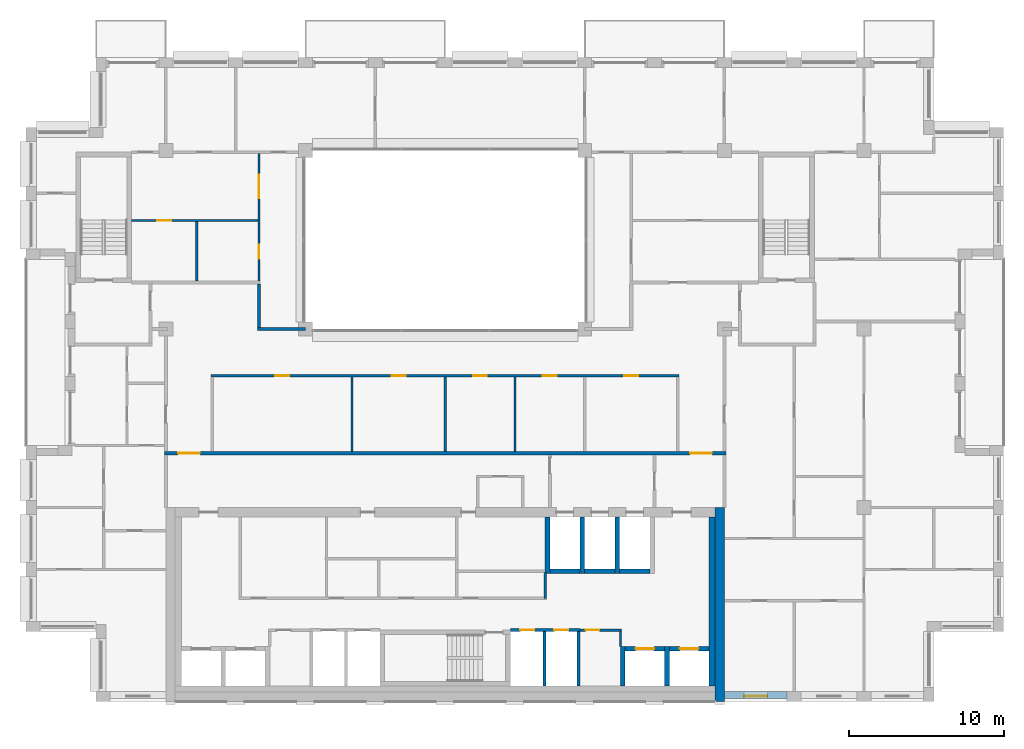
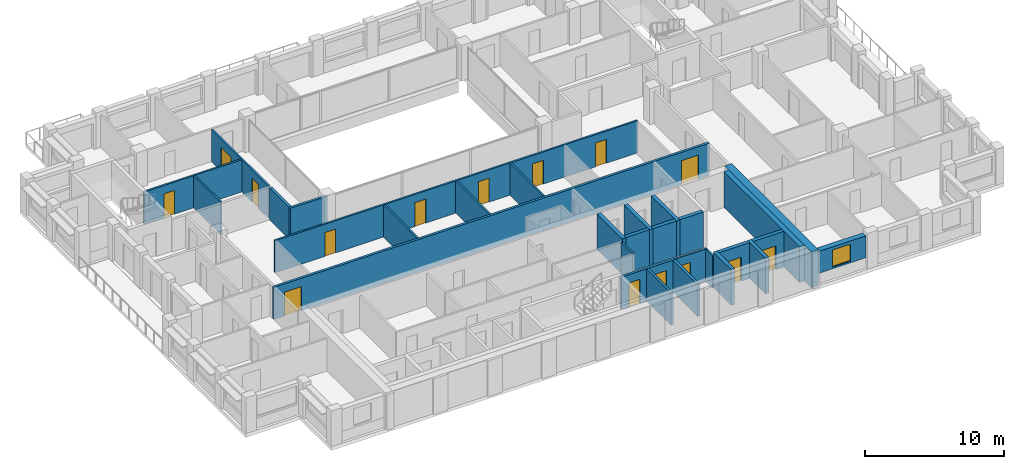
# One storey, part 10 of 15: 29 walls, 15 doors, 1 window, 16 openings.
"""IFC4 building model written with IfcOpenShell, lengths in metres."""

from ifc_helpers import new_model, si_unit, direction, frame, frame_2d, origin, place, context, subcontext, project, spatial, rectangle, extrude, material, layer, layer_set, type_object, element, fill, save


model = new_model("IFC4")

# Units and contexts
model_context = context("Model", 3, precision=1e-05, world=origin(), true_north=direction((0.0, 1.0)))
body_context = subcontext(model_context, "Body", "Model", "MODEL_VIEW")
ifc_project = project(units=[si_unit("LENGTHUNIT", "METRE"), si_unit("AREAUNIT", "SQUARE_METRE"), si_unit("VOLUMEUNIT", "CUBIC_METRE"), si_unit("PLANEANGLEUNIT", "RADIAN"), si_unit("MASSUNIT", "GRAM", prefix="KILO")], contexts=[model_context])

# Site, building, storey
site_placement = place(None, origin())
site = spatial("IfcSite", under=ifc_project, at=site_placement, CompositionType="ELEMENT")
building_placement = place(site_placement, origin())
building = spatial("IfcBuilding", under=site, at=building_placement, Name="Brigalow Station Residences", CompositionType="ELEMENT")
storey_placement = place(building_placement, frame((0.0, 0.0, 226.35009765625)))
storey = spatial("IfcBuildingStorey", under=building, at=storey_placement, Name="L65", CompositionType="ELEMENT", Elevation=226.35009765625)

# Wall, opening, window
ifc_material_1 = material(Name="Clay brick masonry", Category="masonry")
ifc_layer_1 = layer(ifc_material_1, 0.449951171875)
ifc_layer_set_1 = layer_set([ifc_layer_1], Name="BRICK INFILL WALL 450")
wall_type_1 = type_object("IfcWallType", Name="BRICK INFILL WALL 450", PredefinedType="SOLIDWALL", material=ifc_layer_set_1)
wall_1_placement = place(storey_placement, frame((54.0, 0.425048828125, 0.89990234375), z_axis=(0.0, 0.0, 1.0), x_axis=(1.0, 0.0, 0.0)))
wall_1 = element("IfcWall", 1, at=wall_1_placement, inside=storey, type_object=wall_type_1, Name="L65/ewall/W-L65-3", PredefinedType="SOLIDWALL", context=body_context, shape_type="SweptSolid", body=[
    extrude(rectangle(XDim=4.050048828125, YDim=0.449951171875, at=frame_2d((2.02490234375, 0.0))), origin(), (0.0, 0.0, 1.0), 1.929931640625),
])
opening_1_placement = place(wall_1_placement, frame((1.27490234375, 0.0, 0.14990234375)))
opening_1 = element("IfcOpeningElement", 2, at=opening_1_placement, cuts=wall_1, Name="Opening WT-1", PredefinedType="OPENING", context=body_context, shape_type="SweptSolid", body=[
    extrude(rectangle(XDim=1.5, YDim=1.5, at=frame_2d((0.75, 0.75))), frame((0.0, 0.23486328125, 0.0), z_axis=(0.0, -1.0, 0.0), x_axis=(1.0, 0.0, 0.0)), (0.0, 0.0, 1.0), 0.469970703125),
])
ifc_material_2 = material(Name="Anodised aluminium frame with double glazing", Category="aluminium")
window_type = type_object("IfcWindowType", Name="WINDOW 1500x1500", PartitioningType="SINGLE_PANEL", PredefinedType="WINDOW", material=ifc_material_2)
window_placement = place(opening_1_placement, origin())
window = element("IfcWindow", 3, at=window_placement, inside=storey, type_object=window_type, Name="L65/window/W-L65-3", OverallHeight=1.5, OverallWidth=1.5, PartitioningType="SINGLE_PANEL", PredefinedType="WINDOW", context=body_context, shape_type="SweptSolid", body=[
    extrude(rectangle(XDim=1.5, YDim=1.5, at=frame_2d((0.75, 0.75))), frame((0.0, -0.06494140625, 0.0), z_axis=(0.0, -1.0, 0.0), x_axis=(1.0, 0.0, 0.0)), (0.0, 0.0, 1.0), 0.06005859375),
])
fill(opening_1, window)

# Walls
ifc_material_3 = material(Name="Concrete C50", Category="concrete")
ifc_layer_2 = layer(ifc_material_3, 0.300048828125)
ifc_layer_set_2 = layer_set([ifc_layer_2], Name="CORE SHEAR WALL 300 C50")
wall_type_2 = type_object("IfcWallType", Name="CORE SHEAR WALL 300 C50", PredefinedType="SHEAR", material=ifc_layer_set_2)
wall_2_placement = place(storey_placement, frame((42.75, 8.39990234375, 0.0), z_axis=(0.0, 0.0, 1.0), x_axis=(1.0, 0.0, 0.0)))
element("IfcWall", 4, at=wall_2_placement, inside=storey, type_object=wall_type_2, Name="CORE WALL SH-FF1-S L65", PredefinedType="SHEAR", context=body_context, shape_type="SweptSolid", body=[
    extrude(rectangle(XDim=1.949951171875, YDim=0.300048828125, at=frame_2d((0.97509765625, 0.0))), origin(), (0.0, 0.0, 1.0), 3.14990234375),
])
wall_3_placement = place(storey_placement, frame((42.60009765625, 8.25, 0.0), z_axis=(0.0, 0.0, 1.0), x_axis=(0.0, 1.0, 0.0)))
element("IfcWall", 5, at=wall_3_placement, inside=storey, type_object=wall_type_2, Name="CORE WALL SH-FF1-W L65", PredefinedType="SHEAR", context=body_context, shape_type="SweptSolid", body=[
    extrude(rectangle(XDim=3.64990234375, YDim=0.300048828125, at=frame_2d((1.824951171875, 0.0))), origin(), (0.0, 0.0, 1.0), 3.14990234375),
])
wall_4_placement = place(storey_placement, frame((45.0, 8.39990234375, 0.0), z_axis=(0.0, 0.0, 1.0), x_axis=(1.0, 0.0, 0.0)))
element("IfcWall", 6, at=wall_4_placement, inside=storey, type_object=wall_type_2, Name="CORE WALL SH-FF2-S L65", PredefinedType="SHEAR", context=body_context, shape_type="SweptSolid", body=[
    extrude(rectangle(XDim=1.949951171875, YDim=0.300048828125, at=frame_2d((0.97509765625, 0.0))), origin(), (0.0, 0.0, 1.0), 3.14990234375),
])
wall_5_placement = place(storey_placement, frame((44.85009765625, 8.25, 0.0), z_axis=(0.0, 0.0, 1.0), x_axis=(0.0, 1.0, 0.0)))
element("IfcWall", 7, at=wall_5_placement, inside=storey, type_object=wall_type_2, Name="CORE WALL SH-FF2-W L65", PredefinedType="SHEAR", context=body_context, shape_type="SweptSolid", body=[
    extrude(rectangle(XDim=3.64990234375, YDim=0.300048828125, at=frame_2d((1.824951171875, 0.0))), origin(), (0.0, 0.0, 1.0), 3.14990234375),
])
wall_6_placement = place(storey_placement, frame((47.25, 8.39990234375, 0.0), z_axis=(0.0, 0.0, 1.0), x_axis=(1.0, 0.0, 0.0)))
element("IfcWall", 8, at=wall_6_placement, inside=storey, type_object=wall_type_2, Name="CORE WALL SH-SL1-S L65", PredefinedType="SHEAR", context=body_context, shape_type="SweptSolid", body=[
    extrude(rectangle(XDim=1.949951171875, YDim=0.300048828125, at=frame_2d((0.97509765625, 0.0))), origin(), (0.0, 0.0, 1.0), 3.14990234375),
])
wall_7_placement = place(storey_placement, frame((47.10009765625, 8.25, 0.0), z_axis=(0.0, 0.0, 1.0), x_axis=(0.0, 1.0, 0.0)))
element("IfcWall", 9, at=wall_7_placement, inside=storey, type_object=wall_type_2, Name="CORE WALL SH-SL1-W L65", PredefinedType="SHEAR", context=body_context, shape_type="SweptSolid", body=[
    extrude(rectangle(XDim=3.64990234375, YDim=0.300048828125, at=frame_2d((1.824951171875, 0.0))), origin(), (0.0, 0.0, 1.0), 3.14990234375),
])

# Wall, opening, door
wall_8_placement = place(storey_placement, frame((47.60009765625, 3.39990234375, 0.0), z_axis=(0.0, 0.0, 1.0), x_axis=(1.0, 0.0, 0.0)))
wall_8 = element("IfcWall", 10, at=wall_8_placement, inside=storey, type_object=wall_type_2, Name="CORE WALL SH-C3-N L65", PredefinedType="SHEAR", context=body_context, shape_type="SweptSolid", body=[
    extrude(rectangle(XDim=2.5498046875, YDim=0.300048828125, at=frame_2d((1.27490234375, 0.0))), origin(), (0.0, 0.0, 1.0), 3.14990234375),
])
opening_2_placement = place(wall_8_placement, frame((0.675048828125, 0.0, 0.0)))
opening_2 = element("IfcOpeningElement", 11, at=opening_2_placement, cuts=wall_8, Name="Opening LD-LB3", PredefinedType="OPENING", context=body_context, shape_type="SweptSolid", body=[
    extrude(rectangle(XDim=1.199951171875, YDim=2.10009765625, at=frame_2d((0.60009765625, 1.050048828125))), frame((0.0, 0.16015625, 0.0), z_axis=(0.0, -1.0, 0.0), x_axis=(1.0, 0.0, 0.0)), (0.0, 0.0, 1.0), 0.320068359375),
])
ifc_material_4 = material(Name="Stainless steel sliding door leaves", Category="steel")
door_type_1 = type_object("IfcDoorType", Name="LIFT LANDING DOOR 1200 x 2100", OperationType="DOUBLE_DOOR_SLIDING", PredefinedType="DOOR", material=ifc_material_4)
door_1_placement = place(opening_2_placement, origin())
door_1 = element("IfcDoor", 12, at=door_1_placement, inside=storey, type_object=door_type_1, Name="LANDING DOOR LB3", OperationType="DOUBLE_DOOR_SLIDING", OverallHeight=2.10009765625, OverallWidth=1.199951171875, PredefinedType="DOOR", context=body_context, shape_type="SweptSolid", body=[
    extrude(rectangle(XDim=1.199951171875, YDim=2.10009765625, at=frame_2d((0.60009765625, 1.050048828125))), frame((0.0, 0.02490234375, 0.0), z_axis=(0.0, -1.0, 0.0), x_axis=(1.0, 0.0, 0.0)), (0.0, 0.0, 1.0), 0.050048828125),
])
fill(opening_2, door_1)

# Wall
wall_9_placement = place(storey_placement, frame((47.449951171875, 1.0, 0.0), z_axis=(0.0, 0.0, 1.0), x_axis=(0.0, 1.0, 0.0)))
element("IfcWall", 13, at=wall_9_placement, inside=storey, type_object=wall_type_2, Name="CORE WALL SH-C3-W L65", PredefinedType="SHEAR", context=body_context, shape_type="SweptSolid", body=[
    extrude(rectangle(XDim=2.550048828125, YDim=0.300048828125, at=frame_2d((1.27490234375, 0.0))), origin(), (0.0, 0.0, 1.0), 3.14990234375),
])

# Wall, opening, door
wall_10_placement = place(storey_placement, frame((50.449951171875, 3.39990234375, 0.0), z_axis=(0.0, 0.0, 1.0), x_axis=(1.0, 0.0, 0.0)))
wall_10 = element("IfcWall", 14, at=wall_10_placement, inside=storey, type_object=wall_type_2, Name="CORE WALL SH-C4-N L65", PredefinedType="SHEAR", context=body_context, shape_type="SweptSolid", body=[
    extrude(rectangle(XDim=2.550048828125, YDim=0.300048828125, at=frame_2d((1.27490234375, 0.0))), origin(), (0.0, 0.0, 1.0), 3.14990234375),
])
opening_3_placement = place(wall_10_placement, frame((0.675048828125, 0.0, 0.0)))
opening_3 = element("IfcOpeningElement", 15, at=opening_3_placement, cuts=wall_10, Name="Opening LD-LB4", PredefinedType="OPENING", context=body_context, shape_type="SweptSolid", body=[
    extrude(rectangle(XDim=1.199951171875, YDim=2.10009765625, at=frame_2d((0.60009765625, 1.050048828125))), frame((0.0, 0.16015625, 0.0), z_axis=(0.0, -1.0, 0.0), x_axis=(1.0, 0.0, 0.0)), (0.0, 0.0, 1.0), 0.320068359375),
])
door_2_placement = place(opening_3_placement, origin())
door_2 = element("IfcDoor", 16, at=door_2_placement, inside=storey, type_object=door_type_1, Name="LANDING DOOR LB4", OperationType="DOUBLE_DOOR_SLIDING", OverallHeight=2.10009765625, OverallWidth=1.199951171875, PredefinedType="DOOR", context=body_context, shape_type="SweptSolid", body=[
    extrude(rectangle(XDim=1.199951171875, YDim=2.10009765625, at=frame_2d((0.60009765625, 1.050048828125))), frame((0.0, 0.02490234375, 0.0), z_axis=(0.0, -1.0, 0.0), x_axis=(1.0, 0.0, 0.0)), (0.0, 0.0, 1.0), 0.050048828125),
])
fill(opening_3, door_2)

# Walls
wall_11_placement = place(storey_placement, frame((50.300048828125, 1.0, 0.0), z_axis=(0.0, 0.0, 1.0), x_axis=(0.0, 1.0, 0.0)))
element("IfcWall", 17, at=wall_11_placement, inside=storey, type_object=wall_type_2, Name="CORE WALL SH-C4-W L65", PredefinedType="SHEAR", context=body_context, shape_type="SweptSolid", body=[
    extrude(rectangle(XDim=2.550048828125, YDim=0.300048828125, at=frame_2d((1.27490234375, 0.0))), origin(), (0.0, 0.0, 1.0), 3.14990234375),
])
ifc_material_5 = material(Name="Concrete C50", Category="concrete")
ifc_layer_3 = layer(ifc_material_5, 0.39990234375)
ifc_layer_set_3 = layer_set([ifc_layer_3], Name="CORE SHEAR WALL 400 C50")
wall_type_3 = type_object("IfcWallType", Name="CORE SHEAR WALL 400 C50", PredefinedType="SHEAR", material=ifc_layer_set_3)
wall_12_placement = place(storey_placement, frame((53.199951171875, 1.0, 0.0), z_axis=(0.0, 0.0, 1.0), x_axis=(0.0, 1.0, 0.0)))
element("IfcWall", 18, at=wall_12_placement, inside=storey, type_object=wall_type_3, Name="CORE WALL LIN-E L65", PredefinedType="SHEAR", context=body_context, shape_type="SweptSolid", body=[
    extrude(rectangle(XDim=10.89990234375, YDim=0.39990234375, at=frame_2d((5.449951171875, 0.0))), origin(), (0.0, 0.0, 1.0), 3.14990234375),
])
ifc_material_6 = material(Name="Concrete C50", Category="concrete")
ifc_layer_4 = layer(ifc_material_6, 0.60009765625)
ifc_layer_set_4 = layer_set([ifc_layer_4], Name="CORE SHEAR WALL 600 C50")
wall_type_4 = type_object("IfcWallType", Name="CORE SHEAR WALL 600 C50", PredefinedType="SHEAR", material=ifc_layer_set_4)
wall_13_placement = place(storey_placement, frame((53.699951171875, 0.0, 0.0), z_axis=(0.0, 0.0, 1.0), x_axis=(0.0, 1.0, 0.0)))
element("IfcWall", 19, at=wall_13_placement, inside=storey, type_object=wall_type_4, Name="CORE WALL OUT-E L65", PredefinedType="SHEAR", context=body_context, shape_type="SweptSolid", body=[
    extrude(rectangle(XDim=12.5, YDim=0.60009765625, at=frame_2d((6.25, 0.0))), origin(), (0.0, 0.0, 1.0), 3.14990234375),
])

# Wall, openings, doors
ifc_material_7 = material(Name="Concrete blockwork", Category="masonry")
ifc_layer_5 = layer(ifc_material_7, 0.199951171875)
ifc_layer_set_5 = layer_set([ifc_layer_5], Name="FIRE RATED CORE PARTITION 200")
wall_type_5 = type_object("IfcWallType", Name="FIRE RATED CORE PARTITION 200", PredefinedType="PARTITIONING", material=ifc_layer_set_5)
wall_14_placement = place(storey_placement, frame((40.199951171875, 4.60009765625, 0.0), z_axis=(0.0, 0.0, 1.0), x_axis=(1.0, 0.0, 0.0)))
wall_14 = element("IfcWall", 20, at=wall_14_placement, inside=storey, type_object=wall_type_5, Name="PW-5018", PredefinedType="PARTITIONING", context=body_context, shape_type="SweptSolid", body=[
    extrude(rectangle(XDim=4.5, YDim=0.199951171875, at=frame_2d((2.25, 0.0))), origin(), (0.0, 0.0, 1.0), 2.829833984375),
])
opening_4_placement = place(wall_14_placement, frame((0.64990234375, 0.0, 0.0)))
opening_4 = element("IfcOpeningElement", 21, at=opening_4_placement, cuts=wall_14, Name="Opening D-5009", PredefinedType="OPENING", context=body_context, shape_type="SweptSolid", body=[
    extrude(rectangle(XDim=0.89990234375, YDim=2.10009765625, at=frame_2d((0.449951171875, 1.050048828125))), frame((0.0, 0.10986328125, 0.0), z_axis=(0.0, -1.0, 0.0), x_axis=(1.0, 0.0, 0.0)), (0.0, 0.0, 1.0), 0.219970703125),
])
opening_5_placement = place(wall_14_placement, frame((2.85009765625, 0.0, 0.0)))
opening_5 = element("IfcOpeningElement", 22, at=opening_5_placement, cuts=wall_14, Name="Opening D-5010", PredefinedType="OPENING", context=body_context, shape_type="SweptSolid", body=[
    extrude(rectangle(XDim=0.89990234375, YDim=2.10009765625, at=frame_2d((0.449951171875, 1.050048828125))), frame((0.0, 0.10986328125, 0.0), z_axis=(0.0, -1.0, 0.0), x_axis=(1.0, 0.0, 0.0)), (0.0, 0.0, 1.0), 0.219970703125),
])
ifc_material_8 = material(Name="Steel fire door leaf in steel frame", Category="steel")
door_type_2 = type_object("IfcDoorType", Name="RISER ACCESS DOOR 900 x 2100 FD120", OperationType="SINGLE_SWING_LEFT", PredefinedType="DOOR", material=ifc_material_8)
door_3_placement = place(opening_4_placement, frame((0.89990234375, 0.0, 0.0), z_axis=(0.0, 0.0, 1.0), x_axis=(-1.0, 0.0, 0.0)))
door_3 = element("IfcDoor", 23, at=door_3_placement, inside=storey, type_object=door_type_2, Name="D-5009", OperationType="SINGLE_SWING_LEFT", OverallHeight=2.10009765625, OverallWidth=0.89990234375, PredefinedType="DOOR", context=body_context, shape_type="SweptSolid", body=[
    extrude(rectangle(XDim=0.89990234375, YDim=2.10009765625, at=frame_2d((0.449951171875, 1.050048828125))), frame((0.0, 0.02490234375, 0.0), z_axis=(0.0, -1.0, 0.0), x_axis=(1.0, 0.0, 0.0)), (0.0, 0.0, 1.0), 0.050048828125),
])
fill(opening_4, door_3)
door_4_placement = place(opening_5_placement, frame((0.89990234375, 0.0, 0.0), z_axis=(0.0, 0.0, 1.0), x_axis=(-1.0, 0.0, 0.0)))
door_4 = element("IfcDoor", 24, at=door_4_placement, inside=storey, type_object=door_type_2, Name="D-5010", OperationType="SINGLE_SWING_LEFT", OverallHeight=2.10009765625, OverallWidth=0.89990234375, PredefinedType="DOOR", context=body_context, shape_type="SweptSolid", body=[
    extrude(rectangle(XDim=0.89990234375, YDim=2.10009765625, at=frame_2d((0.449951171875, 1.050048828125))), frame((0.0, 0.02490234375, 0.0), z_axis=(0.0, -1.0, 0.0), x_axis=(1.0, 0.0, 0.0)), (0.0, 0.0, 1.0), 0.050048828125),
])
fill(opening_5, door_4)

# Walls
for number, where, z_axis, x_axis, name in (
    (25, (42.39990234375, 1.0, 0.0), (0.0, 0.0, 1.0), (0.0, 1.0, 0.0), "PW-5007"),
    (26, (44.60009765625, 1.0, 0.0), (0.0, 0.0, 1.0), (0.0, 1.0, 0.0), "PW-5008"),
):
    element("IfcWall", number, at=place(storey_placement, frame(where, z_axis=z_axis, x_axis=x_axis)), inside=storey, type_object=wall_type_5, Name=name, PredefinedType="PARTITIONING", context=body_context, shape_type="SweptSolid", body=[
        extrude(rectangle(XDim=3.5, YDim=0.199951171875, at=frame_2d((1.75, 0.0))), origin(), (0.0, 0.0, 1.0), 2.829833984375),
    ])

# Wall, openings, doors
ifc_material_9 = material(Name="Plasterboard on steel stud partition", Category="steel")
ifc_layer_6 = layer(ifc_material_9, 0.14990234375)
ifc_layer_set_6 = layer_set([ifc_layer_6], Name="FLAT PARTITION 150")
wall_type_6 = type_object("IfcWallType", Name="FLAT PARTITION 150", PredefinedType="PARTITIONING", material=ifc_layer_set_6)
wall_15_placement = place(storey_placement, frame((20.925048828125, 21.0, 0.0), z_axis=(0.0, 0.0, 1.0), x_axis=(1.0, 0.0, 0.0)))
wall_15 = element("IfcWall", 27, at=wall_15_placement, inside=storey, type_object=wall_type_6, Name="PW-4D05", PredefinedType="PARTITIONING", context=body_context, shape_type="SweptSolid", body=[
    extrude(rectangle(XDim=30.14990234375, YDim=0.14990234375, at=frame_2d((15.074951171875, 0.0))), origin(), (0.0, 0.0, 1.0), 2.829833984375),
])
opening_6_placement = place(wall_15_placement, frame((4.125, 0.0, 0.0)))
opening_6 = element("IfcOpeningElement", 28, at=opening_6_placement, cuts=wall_15, Name="Opening D-4D41", PredefinedType="OPENING", context=body_context, shape_type="SweptSolid", body=[
    extrude(rectangle(XDim=0.89990234375, YDim=2.10009765625, at=frame_2d((0.449951171875, 1.050048828125))), frame((0.0, 0.0849609375, 0.0), z_axis=(0.0, -1.0, 0.0), x_axis=(1.0, 0.0, 0.0)), (0.0, 0.0, 1.0), 0.169921875),
])
opening_7_placement = place(wall_15_placement, frame((11.625, 0.0, 0.0)))
opening_7 = element("IfcOpeningElement", 29, at=opening_7_placement, cuts=wall_15, Name="Opening D-4D42", PredefinedType="OPENING", context=body_context, shape_type="SweptSolid", body=[
    extrude(rectangle(XDim=0.89990234375, YDim=2.10009765625, at=frame_2d((0.449951171875, 1.050048828125))), frame((0.0, 0.0849609375, 0.0), z_axis=(0.0, -1.0, 0.0), x_axis=(1.0, 0.0, 0.0)), (0.0, 0.0, 1.0), 0.169921875),
])
opening_8_placement = place(wall_15_placement, frame((16.875, 0.0, 0.0)))
opening_8 = element("IfcOpeningElement", 30, at=opening_8_placement, cuts=wall_15, Name="Opening D-4D43", PredefinedType="OPENING", context=body_context, shape_type="SweptSolid", body=[
    extrude(rectangle(XDim=0.89990234375, YDim=2.10009765625, at=frame_2d((0.449951171875, 1.050048828125))), frame((0.0, 0.0849609375, 0.0), z_axis=(0.0, -1.0, 0.0), x_axis=(1.0, 0.0, 0.0)), (0.0, 0.0, 1.0), 0.169921875),
])
opening_9_placement = place(wall_15_placement, frame((21.375, 0.0, 0.0)))
opening_9 = element("IfcOpeningElement", 31, at=opening_9_placement, cuts=wall_15, Name="Opening D-4D44", PredefinedType="OPENING", context=body_context, shape_type="SweptSolid", body=[
    extrude(rectangle(XDim=0.89990234375, YDim=2.10009765625, at=frame_2d((0.449951171875, 1.050048828125))), frame((0.0, 0.0849609375, 0.0), z_axis=(0.0, -1.0, 0.0), x_axis=(1.0, 0.0, 0.0)), (0.0, 0.0, 1.0), 0.169921875),
])
opening_10_placement = place(wall_15_placement, frame((26.625, 0.0, 0.0)))
opening_10 = element("IfcOpeningElement", 32, at=opening_10_placement, cuts=wall_15, Name="Opening D-4D45", PredefinedType="OPENING", context=body_context, shape_type="SweptSolid", body=[
    extrude(rectangle(XDim=0.89990234375, YDim=2.10009765625, at=frame_2d((0.449951171875, 1.050048828125))), frame((0.0, 0.0849609375, 0.0), z_axis=(0.0, -1.0, 0.0), x_axis=(1.0, 0.0, 0.0)), (0.0, 0.0, 1.0), 0.169921875),
])
ifc_material_10 = material(Name="Solid-core timber door leaf", Category="wood")
door_type_3 = type_object("IfcDoorType", Name="INTERNAL DOOR 900 x 2100", OperationType="SINGLE_SWING_LEFT", PredefinedType="DOOR", material=ifc_material_10)
door_5_placement = place(opening_6_placement, frame((0.89990234375, 0.0, 0.0), z_axis=(0.0, 0.0, 1.0), x_axis=(-1.0, 0.0, 0.0)))
door_5 = element("IfcDoor", 33, at=door_5_placement, inside=storey, type_object=door_type_3, Name="D-4D41", OperationType="SINGLE_SWING_RIGHT", OverallHeight=2.10009765625, OverallWidth=0.89990234375, PredefinedType="DOOR", context=body_context, shape_type="SweptSolid", body=[
    extrude(rectangle(XDim=0.89990234375, YDim=2.10009765625, at=frame_2d((0.449951171875, 1.050048828125))), frame((0.0, 0.02490234375, 0.0), z_axis=(0.0, -1.0, 0.0), x_axis=(1.0, 0.0, 0.0)), (0.0, 0.0, 1.0), 0.050048828125),
])
fill(opening_6, door_5)
door_6_placement = place(opening_7_placement, frame((0.89990234375, 0.0, 0.0), z_axis=(0.0, 0.0, 1.0), x_axis=(-1.0, 0.0, 0.0)))
door_6 = element("IfcDoor", 34, at=door_6_placement, inside=storey, type_object=door_type_3, Name="D-4D42", OperationType="SINGLE_SWING_LEFT", OverallHeight=2.10009765625, OverallWidth=0.89990234375, PredefinedType="DOOR", context=body_context, shape_type="SweptSolid", body=[
    extrude(rectangle(XDim=0.89990234375, YDim=2.10009765625, at=frame_2d((0.449951171875, 1.050048828125))), frame((0.0, 0.02490234375, 0.0), z_axis=(0.0, -1.0, 0.0), x_axis=(1.0, 0.0, 0.0)), (0.0, 0.0, 1.0), 0.050048828125),
])
fill(opening_7, door_6)
door_7_placement = place(opening_8_placement, frame((0.89990234375, 0.0, 0.0), z_axis=(0.0, 0.0, 1.0), x_axis=(-1.0, 0.0, 0.0)))
door_7 = element("IfcDoor", 35, at=door_7_placement, inside=storey, type_object=door_type_3, Name="D-4D43", OperationType="SINGLE_SWING_LEFT", OverallHeight=2.10009765625, OverallWidth=0.89990234375, PredefinedType="DOOR", context=body_context, shape_type="SweptSolid", body=[
    extrude(rectangle(XDim=0.89990234375, YDim=2.10009765625, at=frame_2d((0.449951171875, 1.050048828125))), frame((0.0, 0.02490234375, 0.0), z_axis=(0.0, -1.0, 0.0), x_axis=(1.0, 0.0, 0.0)), (0.0, 0.0, 1.0), 0.050048828125),
])
fill(opening_8, door_7)
door_8_placement = place(opening_9_placement, frame((0.89990234375, 0.0, 0.0), z_axis=(0.0, 0.0, 1.0), x_axis=(-1.0, 0.0, 0.0)))
door_8 = element("IfcDoor", 36, at=door_8_placement, inside=storey, type_object=door_type_3, Name="D-4D44", OperationType="SINGLE_SWING_LEFT", OverallHeight=2.10009765625, OverallWidth=0.89990234375, PredefinedType="DOOR", context=body_context, shape_type="SweptSolid", body=[
    extrude(rectangle(XDim=0.89990234375, YDim=2.10009765625, at=frame_2d((0.449951171875, 1.050048828125))), frame((0.0, 0.02490234375, 0.0), z_axis=(0.0, -1.0, 0.0), x_axis=(1.0, 0.0, 0.0)), (0.0, 0.0, 1.0), 0.050048828125),
])
fill(opening_9, door_8)
door_9_placement = place(opening_10_placement, frame((0.89990234375, 0.0, 0.0), z_axis=(0.0, 0.0, 1.0), x_axis=(-1.0, 0.0, 0.0)))
door_9 = element("IfcDoor", 37, at=door_9_placement, inside=storey, type_object=door_type_3, Name="D-4D45", OperationType="SINGLE_SWING_RIGHT", OverallHeight=2.10009765625, OverallWidth=0.89990234375, PredefinedType="DOOR", context=body_context, shape_type="SweptSolid", body=[
    extrude(rectangle(XDim=0.89990234375, YDim=2.10009765625, at=frame_2d((0.449951171875, 1.050048828125))), frame((0.0, 0.02490234375, 0.0), z_axis=(0.0, -1.0, 0.0), x_axis=(1.0, 0.0, 0.0)), (0.0, 0.0, 1.0), 0.050048828125),
])
fill(opening_10, door_9)

# Wall, opening, door
wall_16_placement = place(storey_placement, frame((15.800048828125, 31.0, 0.0), z_axis=(0.0, 0.0, 1.0), x_axis=(1.0, 0.0, 0.0)))
wall_16 = element("IfcWall", 38, at=wall_16_placement, inside=storey, type_object=wall_type_6, Name="PW-4D15", PredefinedType="PARTITIONING", context=body_context, shape_type="SweptSolid", body=[
    extrude(rectangle(XDim=8.125, YDim=0.14990234375, at=frame_2d((4.0625, 0.0))), origin(), (0.0, 0.0, 1.0), 2.829833984375),
])
opening_11_placement = place(wall_16_placement, frame((1.64990234375, 0.0, 0.0)))
opening_11 = element("IfcOpeningElement", 39, at=opening_11_placement, cuts=wall_16, Name="Opening D-4D21", PredefinedType="OPENING", context=body_context, shape_type="SweptSolid", body=[
    extrude(rectangle(XDim=0.89990234375, YDim=2.10009765625, at=frame_2d((0.449951171875, 1.050048828125))), frame((0.0, 0.0849609375, 0.0), z_axis=(0.0, -1.0, 0.0), x_axis=(1.0, 0.0, 0.0)), (0.0, 0.0, 1.0), 0.169921875),
])
door_10_placement = place(opening_11_placement, frame((0.89990234375, 0.0, 0.0), z_axis=(0.0, 0.0, 1.0), x_axis=(-1.0, 0.0, 0.0)))
door_10 = element("IfcDoor", 40, at=door_10_placement, inside=storey, type_object=door_type_3, Name="D-4D21", OperationType="SINGLE_SWING_LEFT", OverallHeight=2.10009765625, OverallWidth=0.89990234375, PredefinedType="DOOR", context=body_context, shape_type="SweptSolid", body=[
    extrude(rectangle(XDim=0.89990234375, YDim=2.10009765625, at=frame_2d((0.449951171875, 1.050048828125))), frame((0.0, 0.02490234375, 0.0), z_axis=(0.0, -1.0, 0.0), x_axis=(1.0, 0.0, 0.0)), (0.0, 0.0, 1.0), 0.050048828125),
])
fill(opening_11, door_10)

# Wall, openings, doors
wall_17_placement = place(storey_placement, frame((24.0, 27.10009765625, 0.0), z_axis=(0.0, 0.0, 1.0), x_axis=(0.0, 1.0, 0.0)))
wall_17 = element("IfcWall", 41, at=wall_17_placement, inside=storey, type_object=wall_type_6, Name="PW-4D34", PredefinedType="PARTITIONING", context=body_context, shape_type="SweptSolid", body=[
    extrude(rectangle(XDim=8.224853515625, YDim=0.14990234375, at=frame_2d((4.1123046875, 0.0))), origin(), (0.0, 0.0, 1.0), 2.829833984375),
])
opening_12_placement = place(wall_17_placement, frame((5.35009765625, 0.0, 0.0)))
opening_12 = element("IfcOpeningElement", 42, at=opening_12_placement, cuts=wall_17, Name="Opening D-4D19", PredefinedType="OPENING", context=body_context, shape_type="SweptSolid", body=[
    extrude(rectangle(XDim=1.5, YDim=2.10009765625, at=frame_2d((0.75, 1.050048828125))), frame((0.0, 0.0849609375, 0.0), z_axis=(0.0, -1.0, 0.0), x_axis=(1.0, 0.0, 0.0)), (0.0, 0.0, 1.0), 0.169921875),
])
opening_13_placement = place(wall_17_placement, frame((1.449951171875, 0.0, 0.0)))
opening_13 = element("IfcOpeningElement", 43, at=opening_13_placement, cuts=wall_17, Name="Opening D-4D20", PredefinedType="OPENING", context=body_context, shape_type="SweptSolid", body=[
    extrude(rectangle(XDim=0.89990234375, YDim=2.10009765625, at=frame_2d((0.449951171875, 1.050048828125))), frame((0.0, 0.0849609375, 0.0), z_axis=(0.0, -1.0, 0.0), x_axis=(1.0, 0.0, 0.0)), (0.0, 0.0, 1.0), 0.169921875),
])
door_11_placement = place(opening_13_placement, origin())
door_11 = element("IfcDoor", 44, at=door_11_placement, inside=storey, type_object=door_type_3, Name="D-4D20", OperationType="SINGLE_SWING_LEFT", OverallHeight=2.10009765625, OverallWidth=0.89990234375, PredefinedType="DOOR", context=body_context, shape_type="SweptSolid", body=[
    extrude(rectangle(XDim=0.89990234375, YDim=2.10009765625, at=frame_2d((0.449951171875, 1.050048828125))), frame((0.0, 0.02490234375, 0.0), z_axis=(0.0, -1.0, 0.0), x_axis=(1.0, 0.0, 0.0)), (0.0, 0.0, 1.0), 0.050048828125),
])
fill(opening_13, door_11)
ifc_material_11 = material(Name="Solid-core timber door leaf", Category="wood")
door_type_4 = type_object("IfcDoorType", Name="INTERNAL DOUBLE DOOR 1500 x 2100", OperationType="DOUBLE_DOOR_SINGLE_SWING", PredefinedType="DOOR", material=ifc_material_11)
door_12_placement = place(opening_12_placement, frame((1.5, 0.0, 0.0), z_axis=(0.0, 0.0, 1.0), x_axis=(-1.0, 0.0, 0.0)))
door_12 = element("IfcDoor", 45, at=door_12_placement, inside=storey, type_object=door_type_4, Name="D-4D19", OperationType="DOUBLE_DOOR_SINGLE_SWING", OverallHeight=2.10009765625, OverallWidth=1.5, PredefinedType="DOOR", context=body_context, shape_type="SweptSolid", body=[
    extrude(rectangle(XDim=1.5, YDim=2.10009765625, at=frame_2d((0.75, 1.050048828125))), frame((0.0, 0.02490234375, 0.0), z_axis=(0.0, -1.0, 0.0), x_axis=(1.0, 0.0, 0.0)), (0.0, 0.0, 1.0), 0.050048828125),
])
fill(opening_12, door_12)

# Walls
wall_18_placement = place(storey_placement, frame((20.0, 27.10009765625, 0.0), z_axis=(0.0, 0.0, 1.0), x_axis=(0.0, 1.0, 0.0)))
element("IfcWall", 46, at=wall_18_placement, inside=storey, type_object=wall_type_6, Name="PW-4D44", PredefinedType="PARTITIONING", context=body_context, shape_type="SweptSolid", body=[
    extrude(rectangle(XDim=3.824951171875, YDim=0.14990234375, at=frame_2d((1.91259765625, 0.0))), origin(), (0.0, 0.0, 1.0), 2.829833984375),
])
for number, where, z_axis, x_axis, name in (
    (47, (30.0, 16.10009765625, 0.0), (0.0, 0.0, 1.0), (0.0, 1.0, 0.0), "PW-4D52"),
    (48, (36.0, 16.10009765625, 0.0), (0.0, 0.0, 1.0), (0.0, 1.0, 0.0), "PW-4D53"),
    (49, (40.5, 16.10009765625, 0.0), (0.0, 0.0, 1.0), (0.0, 1.0, 0.0), "PW-4D54"),
):
    element("IfcWall", number, at=place(storey_placement, frame(where, z_axis=z_axis, x_axis=x_axis)), inside=storey, type_object=wall_type_6, Name=name, PredefinedType="PARTITIONING", context=body_context, shape_type="SweptSolid", body=[
        extrude(rectangle(XDim=4.824951171875, YDim=0.14990234375, at=frame_2d((2.41259765625, 0.0))), origin(), (0.0, 0.0, 1.0), 2.829833984375),
    ])
ifc_material_12 = material(Name="Plasterboard on steel stud partition", Category="steel")
ifc_layer_7 = layer(ifc_material_12, 0.199951171875)
ifc_layer_set_7 = layer_set([ifc_layer_7], Name="PARTY AND CORRIDOR WALL 200")
wall_type_7 = type_object("IfcWallType", Name="PARTY AND CORRIDOR WALL 200", PredefinedType="PARTITIONING", material=ifc_layer_set_7)
wall_19_placement = place(storey_placement, frame((23.89990234375, 24.0, 0.0), z_axis=(0.0, 0.0, 1.0), x_axis=(1.0, 0.0, 0.0)))
element("IfcWall", 50, at=wall_19_placement, inside=storey, type_object=wall_type_7, Name="PW-4D02", PredefinedType="PARTITIONING", context=body_context, shape_type="SweptSolid", body=[
    extrude(rectangle(XDim=3.10009765625, YDim=0.199951171875, at=frame_2d((1.550048828125, 0.0))), origin(), (0.0, 0.0, 1.0), 2.829833984375),
])

# Wall, openings, doors
wall_20_placement = place(storey_placement, frame((17.89990234375, 16.0, 0.0), z_axis=(0.0, 0.0, 1.0), x_axis=(1.0, 0.0, 0.0)))
wall_20 = element("IfcWall", 51, at=wall_20_placement, inside=storey, type_object=wall_type_7, Name="PW-4D27", PredefinedType="PARTITIONING", context=body_context, shape_type="SweptSolid", body=[
    extrude(rectangle(XDim=36.2001953125, YDim=0.199951171875, at=frame_2d((18.10009765625, 0.0))), origin(), (0.0, 0.0, 1.0), 2.829833984375),
])
opening_14_placement = place(wall_20_placement, frame((0.89990234375, 0.0, 0.0)))
opening_14 = element("IfcOpeningElement", 52, at=opening_14_placement, cuts=wall_20, Name="Opening D-4D01", PredefinedType="OPENING", context=body_context, shape_type="SweptSolid", body=[
    extrude(rectangle(XDim=1.39990234375, YDim=2.10009765625, at=frame_2d((0.699951171875, 1.050048828125))), frame((0.0, 0.10986328125, 0.0), z_axis=(0.0, -1.0, 0.0), x_axis=(1.0, 0.0, 0.0)), (0.0, 0.0, 1.0), 0.219970703125),
])
opening_15_placement = place(wall_20_placement, frame((33.89990234375, 0.0, 0.0)))
opening_15 = element("IfcOpeningElement", 53, at=opening_15_placement, cuts=wall_20, Name="Opening D-4D02", PredefinedType="OPENING", context=body_context, shape_type="SweptSolid", body=[
    extrude(rectangle(XDim=1.39990234375, YDim=2.10009765625, at=frame_2d((0.699951171875, 1.050048828125))), frame((0.0, 0.10986328125, 0.0), z_axis=(0.0, -1.0, 0.0), x_axis=(1.0, 0.0, 0.0)), (0.0, 0.0, 1.0), 0.219970703125),
])
ifc_material_13 = material(Name="Solid-core timber door leaf", Category="wood")
door_type_5 = type_object("IfcDoorType", Name="CORRIDOR FIRE DOOR 1400 x 2100 FRL -/60/30", OperationType="DOUBLE_DOOR_SINGLE_SWING", PredefinedType="DOOR", material=ifc_material_13)
door_13_placement = place(opening_14_placement, frame((1.39990234375, 0.0, 0.0), z_axis=(0.0, 0.0, 1.0), x_axis=(-1.0, 0.0, 0.0)))
door_13 = element("IfcDoor", 54, at=door_13_placement, inside=storey, type_object=door_type_5, Name="D-4D01", OperationType="DOUBLE_DOOR_SINGLE_SWING", OverallHeight=2.10009765625, OverallWidth=1.39990234375, PredefinedType="DOOR", context=body_context, shape_type="SweptSolid", body=[
    extrude(rectangle(XDim=1.39990234375, YDim=2.10009765625, at=frame_2d((0.699951171875, 1.050048828125))), frame((0.0, 0.02490234375, 0.0), z_axis=(0.0, -1.0, 0.0), x_axis=(1.0, 0.0, 0.0)), (0.0, 0.0, 1.0), 0.050048828125),
])
fill(opening_14, door_13)
door_14_placement = place(opening_15_placement, frame((1.39990234375, 0.0, 0.0), z_axis=(0.0, 0.0, 1.0), x_axis=(-1.0, 0.0, 0.0)))
door_14 = element("IfcDoor", 55, at=door_14_placement, inside=storey, type_object=door_type_5, Name="D-4D02", OperationType="DOUBLE_DOOR_SINGLE_SWING", OverallHeight=2.10009765625, OverallWidth=1.39990234375, PredefinedType="DOOR", context=body_context, shape_type="SweptSolid", body=[
    extrude(rectangle(XDim=1.39990234375, YDim=2.10009765625, at=frame_2d((0.699951171875, 1.050048828125))), frame((0.0, 0.02490234375, 0.0), z_axis=(0.0, -1.0, 0.0), x_axis=(1.0, 0.0, 0.0)), (0.0, 0.0, 1.0), 0.050048828125),
])
fill(opening_15, door_14)

# Wall
wall_21_placement = place(storey_placement, frame((24.0, 24.10009765625, 0.0), z_axis=(0.0, 0.0, 1.0), x_axis=(0.0, 1.0, 0.0)))
element("IfcWall", 56, at=wall_21_placement, inside=storey, type_object=wall_type_7, Name="PW-4D35", PredefinedType="PARTITIONING", context=body_context, shape_type="SweptSolid", body=[
    extrude(rectangle(XDim=2.7998046875, YDim=0.199951171875, at=frame_2d((1.39990234375, 0.0))), origin(), (0.0, 0.0, 1.0), 2.829833984375),
])

# Wall, opening, door
ifc_material_14 = material(Name="Plasterboard on steel studs", Category="steel")
ifc_layer_8 = layer(ifc_material_14, 0.14990234375)
ifc_layer_set_8 = layer_set([ifc_layer_8], Name="SERVICE ROOM PARTITION 150")
wall_type_8 = type_object("IfcWallType", Name="SERVICE ROOM PARTITION 150", PredefinedType="PARTITIONING", material=ifc_layer_set_8)
wall_22_placement = place(storey_placement, frame((44.699951171875, 4.60009765625, 0.0), z_axis=(0.0, 0.0, 1.0), x_axis=(1.0, 0.0, 0.0)))
wall_22 = element("IfcWall", 57, at=wall_22_placement, inside=storey, type_object=wall_type_8, Name="PW-5156", PredefinedType="PARTITIONING", context=body_context, shape_type="SweptSolid", body=[
    extrude(rectangle(XDim=2.675048828125, YDim=0.14990234375, at=frame_2d((1.33740234375, 0.0))), origin(), (0.0, 0.0, 1.0), 2.829833984375),
])
opening_16_placement = place(wall_22_placement, frame((0.35009765625, 0.0, 0.0)))
opening_16 = element("IfcOpeningElement", 58, at=opening_16_placement, cuts=wall_22, Name="Opening D-5026", PredefinedType="OPENING", context=body_context, shape_type="SweptSolid", body=[
    extrude(rectangle(XDim=0.89990234375, YDim=2.10009765625, at=frame_2d((0.449951171875, 1.050048828125))), frame((0.0, 0.0849609375, 0.0), z_axis=(0.0, -1.0, 0.0), x_axis=(1.0, 0.0, 0.0)), (0.0, 0.0, 1.0), 0.169921875),
])
ifc_material_15 = material(Name="Steel door leaf in steel frame", Category="steel")
door_type_6 = type_object("IfcDoorType", Name="SERVICE ROOM DOOR 900 x 2100 FD60", OperationType="SINGLE_SWING_LEFT", PredefinedType="DOOR", material=ifc_material_15)
door_15_placement = place(opening_16_placement, frame((0.89990234375, 0.0, 0.0), z_axis=(0.0, 0.0, 1.0), x_axis=(-1.0, 0.0, 0.0)))
door_15 = element("IfcDoor", 59, at=door_15_placement, inside=storey, type_object=door_type_6, Name="D-5026", OperationType="SINGLE_SWING_RIGHT", OverallHeight=2.10009765625, OverallWidth=0.89990234375, PredefinedType="DOOR", context=body_context, shape_type="SweptSolid", body=[
    extrude(rectangle(XDim=0.89990234375, YDim=2.10009765625, at=frame_2d((0.449951171875, 1.050048828125))), frame((0.0, 0.02490234375, 0.0), z_axis=(0.0, -1.0, 0.0), x_axis=(1.0, 0.0, 0.0)), (0.0, 0.0, 1.0), 0.050048828125),
])
fill(opening_16, door_15)

# Walls
wall_23_placement = place(storey_placement, frame((47.300048828125, 3.550048828125, 0.0), z_axis=(0.0, 0.0, 1.0), x_axis=(0.0, 1.0, 0.0)))
element("IfcWall", 60, at=wall_23_placement, inside=storey, type_object=wall_type_8, Name="PW-5158", PredefinedType="PARTITIONING", context=body_context, shape_type="SweptSolid", body=[
    extrude(rectangle(XDim=0.974853515625, YDim=0.14990234375, at=frame_2d((0.4873046875, 0.0))), origin(), (0.0, 0.0, 1.0), 2.829833984375),
])
wall_24_placement = place(storey_placement, frame((42.449951171875, 6.64990234375, 0.0), z_axis=(0.0, 0.0, 1.0), x_axis=(0.0, 1.0, 0.0)))
element("IfcWall", 61, at=wall_24_placement, inside=storey, type_object=wall_type_8, Name="PW-5206", PredefinedType="PARTITIONING", context=body_context, shape_type="SweptSolid", body=[
    extrude(rectangle(XDim=1.675048828125, YDim=0.14990234375, at=frame_2d((0.83740234375, 0.0))), origin(), (0.0, 0.0, 1.0), 2.829833984375),
])

save(model, "model.ifc")
